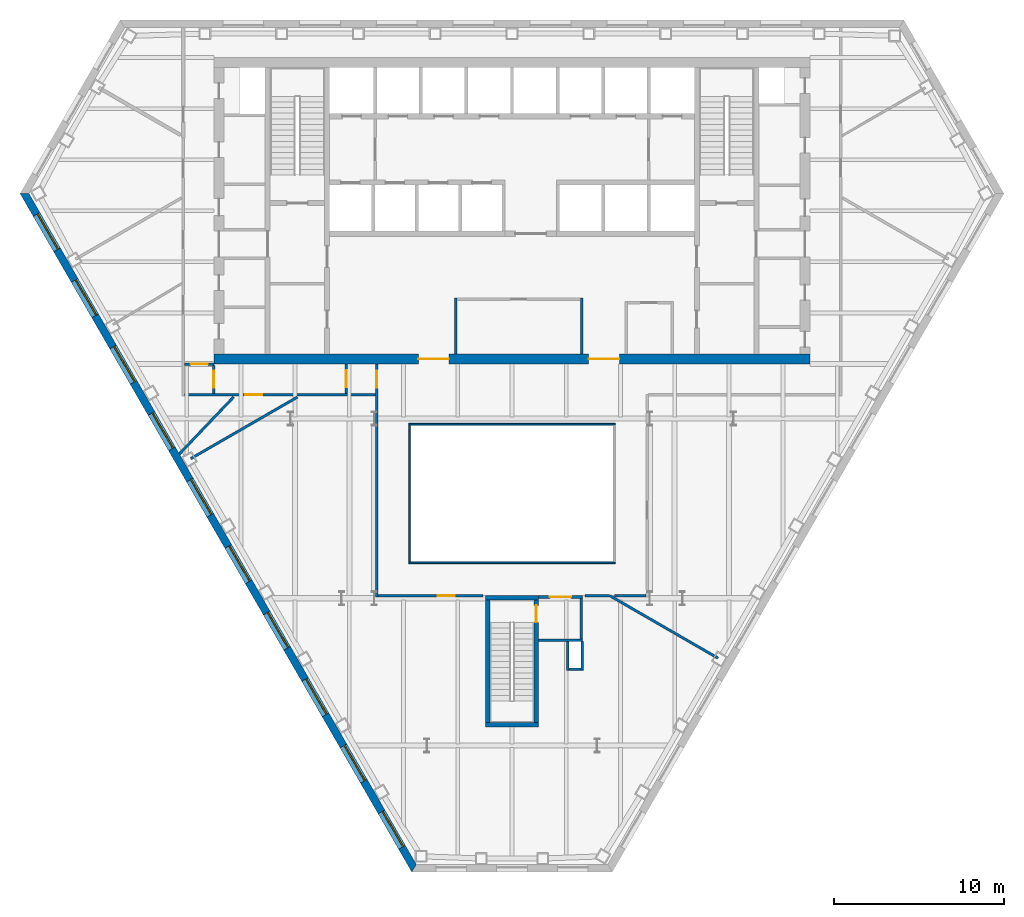
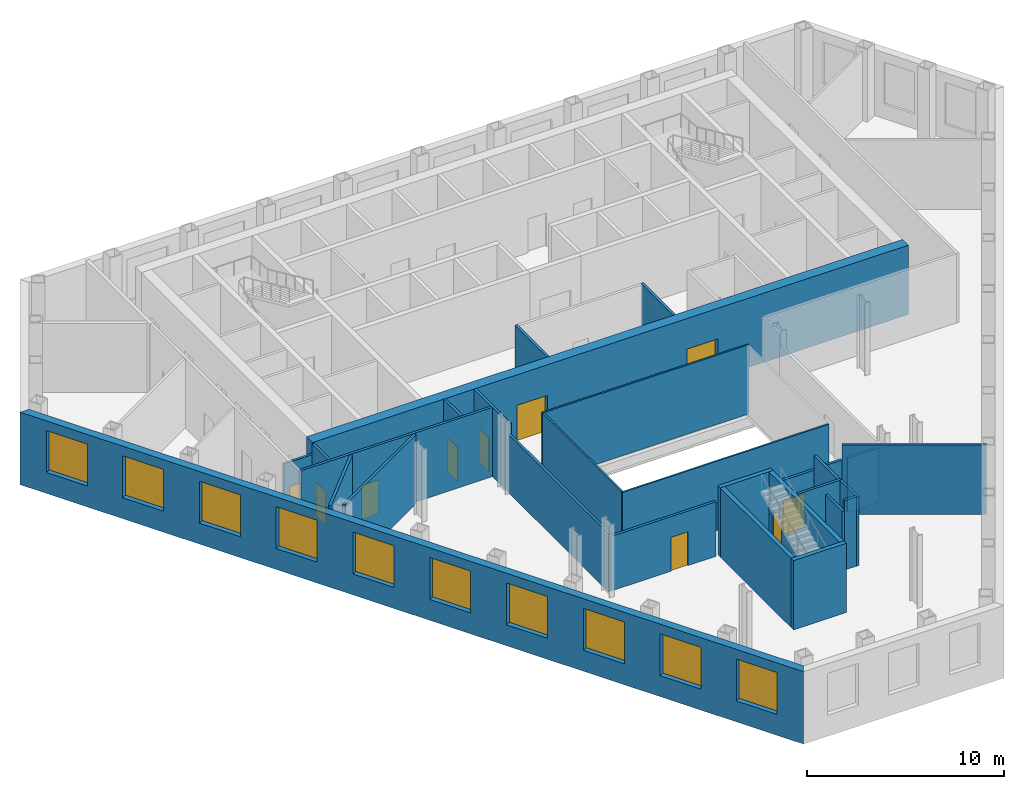
# One storey, part 4 of 11: 29 walls, 10 doors, 10 windows, 20 openings.
"""IFC4 building model written with IfcOpenShell, lengths in metres."""

from ifc_helpers import new_model, si_unit, direction, frame, frame_2d, origin, place, context, subcontext, project, spatial, polyline, rectangle, outline, extrude, material, layer, layer_set, type_object, element, fill, save


model = new_model("IFC4")

# Units and contexts
model_context = context("Model", 3, precision=1e-05, world=origin(), true_north=direction((0.0, 1.0)))
body_context = subcontext(model_context, "Body", "Model", "MODEL_VIEW")
ifc_project = project(units=[si_unit("LENGTHUNIT", "METRE"), si_unit("AREAUNIT", "SQUARE_METRE"), si_unit("VOLUMEUNIT", "CUBIC_METRE"), si_unit("PLANEANGLEUNIT", "RADIAN"), si_unit("MASSUNIT", "GRAM", prefix="KILO")], contexts=[model_context])

# Site, building, storey
site_placement = place(None, origin())
site = spatial("IfcSite", under=ifc_project, at=site_placement, CompositionType="ELEMENT")
building_placement = place(site_placement, origin())
building = spatial("IfcBuilding", under=site, at=building_placement, Name="Njiva Tower", CompositionType="ELEMENT")
storey_placement = place(building_placement, frame((0.0, 0.0, 37.8)))
storey = spatial("IfcBuildingStorey", under=building, at=storey_placement, Name="L07", CompositionType="ELEMENT", Elevation=37.8)

# Walls
ifc_material_1 = material(Name="Blockwork", Category="masonry")
ifc_layer_1 = layer(ifc_material_1, 0.15)
ifc_layer_set_1 = layer_set([ifc_layer_1], Name="Blockwork")
wall_type_1 = type_object("IfcWallType", Name="WT1 Compartment partition 150", PredefinedType="PARTITIONING", material=ifc_layer_set_1)
for number, where, z_axis, x_axis, name in (
    (1, (-3.3, 0.6, 0.0), (0.0, 0.0, 1.0), (0.0, 1.0, 0.0), "Information office wall west"),
    (2, (4.1, 0.6, 0.0), (0.0, 0.0, 1.0), (0.0, 1.0, 0.0), "Information office wall east"),
):
    element("IfcWall", number, at=place(storey_placement, frame(where, z_axis=z_axis, x_axis=x_axis)), inside=storey, type_object=wall_type_1, Name=name, PredefinedType="PARTITIONING", context=body_context, shape_type="SweptSolid", body=[
        extrude(rectangle(XDim=3.275, YDim=0.15, at=frame_2d((1.6375, 0.0))), origin(), (0.0, 0.0, 1.0), 4.3),
    ])

# Wall, openings, doors
ifc_material_2 = material(Name="Concrete C60/75", Category="concrete")
ifc_layer_2 = layer(ifc_material_2, 0.6)
ifc_layer_set_2 = layer_set([ifc_layer_2], Name="Concrete C60/75")
wall_type_2 = type_object("IfcWallType", Name="WT15 Core wall 600", PredefinedType="SHEAR", material=ifc_layer_set_2)
wall_1_placement = place(storey_placement, frame((-17.5, 0.3, 0.0), z_axis=(0.0, 0.0, 1.0), x_axis=(1.0, 0.0, 0.0)))
wall_1 = element("IfcWall", 3, at=wall_1_placement, inside=storey, type_object=wall_type_2, Name="Core wall south", PredefinedType="SHEAR", context=body_context, shape_type="SweptSolid", body=[
    extrude(rectangle(XDim=35.0, YDim=0.6, at=frame_2d((17.5, 0.0))), origin(), (0.0, 0.0, 1.0), 4.3),
])
opening_1_placement = place(wall_1_placement, frame((12.0, 0.0, 0.0)))
opening_1 = element("IfcOpeningElement", 4, at=opening_1_placement, cuts=wall_1, Name="Opening S02-D937", PredefinedType="OPENING", context=body_context, shape_type="SweptSolid", body=[
    extrude(rectangle(XDim=1.8, YDim=2.4, at=frame_2d((0.9, 1.2))), frame((0.0, 0.31, 0.0), z_axis=(0.0, -1.0, 0.0), x_axis=(1.0, 0.0, 0.0)), (0.0, 0.0, 1.0), 0.62),
])
opening_2_placement = place(wall_1_placement, frame((22.0, 0.0, 0.0)))
opening_2 = element("IfcOpeningElement", 5, at=opening_2_placement, cuts=wall_1, Name="Opening S02-D938", PredefinedType="OPENING", context=body_context, shape_type="SweptSolid", body=[
    extrude(rectangle(XDim=1.8, YDim=2.4, at=frame_2d((0.9, 1.2))), frame((0.0, 0.31, 0.0), z_axis=(0.0, -1.0, 0.0), x_axis=(1.0, 0.0, 0.0)), (0.0, 0.0, 1.0), 0.62),
])
ifc_material_3 = material(Name="Steel and glass door", Category="steel")
door_type_1 = type_object("IfcDoorType", Name="D3 Core entrance door 1800x2400", OperationType="DOUBLE_DOOR_SINGLE_SWING", PredefinedType="DOOR", material=ifc_material_3)
door_1_placement = place(opening_1_placement, origin())
door_1 = element("IfcDoor", 6, at=door_1_placement, inside=storey, type_object=door_type_1, Name="Core entrance door", OperationType="DOUBLE_DOOR_SINGLE_SWING", OverallHeight=2.4, OverallWidth=1.8, PredefinedType="DOOR", context=body_context, shape_type="SweptSolid", body=[
    extrude(rectangle(XDim=1.8, YDim=2.4, at=frame_2d((0.9, 1.2))), frame((0.0, 0.025, 0.0), z_axis=(0.0, -1.0, 0.0), x_axis=(1.0, 0.0, 0.0)), (0.0, 0.0, 1.0), 0.05),
])
fill(opening_1, door_1)
door_2_placement = place(opening_2_placement, origin())
door_2 = element("IfcDoor", 7, at=door_2_placement, inside=storey, type_object=door_type_1, Name="Core entrance door", OperationType="DOUBLE_DOOR_SINGLE_SWING", OverallHeight=2.4, OverallWidth=1.8, PredefinedType="DOOR", context=body_context, shape_type="SweptSolid", body=[
    extrude(rectangle(XDim=1.8, YDim=2.4, at=frame_2d((0.9, 1.2))), frame((0.0, 0.025, 0.0), z_axis=(0.0, -1.0, 0.0), x_axis=(1.0, 0.0, 0.0)), (0.0, 0.0, 1.0), 0.05),
])
fill(opening_2, door_2)

# Wall
ifc_material_4 = material(Name="Gypsum board on steel studs", Category="gypsum")
ifc_layer_3 = layer(ifc_material_4, 0.15)
ifc_layer_set_3 = layer_set([ifc_layer_3], Name="Gypsum board on steel studs")
wall_type_3 = type_object("IfcWallType", Name="WT21 Compartment wall 150", PredefinedType="PARTITIONING", material=ifc_layer_set_3)
wall_2_placement = place(storey_placement, frame((-19.533, -5.282, 0.0), z_axis=(0.0, 0.0, 1.0), x_axis=(0.689628223258, 0.724163595941, 0.0)))
element("IfcWall", 8, at=wall_2_placement, inside=storey, type_object=wall_type_3, Name="Partition S02-P004", PredefinedType="PARTITIONING", context=body_context, shape_type="SweptSolid", body=[
    extrude(rectangle(XDim=4.6329, YDim=0.15, at=frame_2d((2.3164, 0.0))), origin(), (0.0, 0.0, 1.0), 4.3),
])

# Wall, opening, door
wall_3_placement = place(storey_placement, frame((-19.225, -1.8, 0.0), z_axis=(0.0, 0.0, 1.0), x_axis=(1.0, 0.0, 0.0)))
wall_3 = element("IfcWall", 9, at=wall_3_placement, inside=storey, type_object=wall_type_3, Name="Partition S02-P007", PredefinedType="PARTITIONING", context=body_context, shape_type="SweptSolid", body=[
    extrude(rectangle(XDim=11.21, YDim=0.15, at=frame_2d((5.605, 0.0))), origin(), (0.0, 0.0, 1.0), 4.3),
])
opening_3_placement = place(wall_3_placement, frame((3.559, 0.0, 0.0)))
opening_3 = element("IfcOpeningElement", 10, at=opening_3_placement, cuts=wall_3, Name="Opening S02-D005", PredefinedType="OPENING", context=body_context, shape_type="SweptSolid", body=[
    extrude(rectangle(XDim=1.0, YDim=2.1, at=frame_2d((0.5, 1.05))), frame((0.0, 0.085, 0.0), z_axis=(0.0, -1.0, 0.0), x_axis=(1.0, 0.0, 0.0)), (0.0, 0.0, 1.0), 0.17),
])
ifc_material_5 = material(Name="Steel fire door set", Category="steel")
door_type_2 = type_object("IfcDoorType", Name="D37 Fire door 1000x2100", OperationType="SINGLE_SWING_LEFT", PredefinedType="DOOR", material=ifc_material_5)
door_3_placement = place(opening_3_placement, origin())
door_3 = element("IfcDoor", 11, at=door_3_placement, inside=storey, type_object=door_type_2, Name="Door S02-D005", OperationType="SINGLE_SWING_LEFT", OverallHeight=2.1, OverallWidth=1.0, PredefinedType="DOOR", context=body_context, shape_type="SweptSolid", body=[
    extrude(rectangle(XDim=1.0, YDim=2.1, at=frame_2d((0.5, 1.05))), frame((0.0, 0.025, 0.0), z_axis=(0.0, -1.0, 0.0), x_axis=(1.0, 0.0, 0.0)), (0.0, 0.0, 1.0), 0.05),
])
fill(opening_3, door_3)

wall_4_placement = place(storey_placement, frame((-19.225, 0.0, 0.0), z_axis=(0.0, 0.0, 1.0), x_axis=(1.0, 0.0, 0.0)))
wall_4 = element("IfcWall", 12, at=wall_4_placement, inside=storey, type_object=wall_type_3, Name="Partition S02-P008", PredefinedType="PARTITIONING", context=body_context, shape_type="SweptSolid", body=[
    extrude(rectangle(XDim=1.725, YDim=0.15, at=frame_2d((0.8625, 0.0))), origin(), (0.0, 0.0, 1.0), 3.61),
])
opening_4_placement = place(wall_4_placement, frame((0.363, 0.0, 0.0)))
opening_4 = element("IfcOpeningElement", 13, at=opening_4_placement, cuts=wall_4, Name="Opening S02-D006", PredefinedType="OPENING", context=body_context, shape_type="SweptSolid", body=[
    extrude(rectangle(XDim=1.0, YDim=2.1, at=frame_2d((0.5, 1.05))), frame((0.0, 0.085, 0.0), z_axis=(0.0, -1.0, 0.0), x_axis=(1.0, 0.0, 0.0)), (0.0, 0.0, 1.0), 0.17),
])
door_4_placement = place(opening_4_placement, origin())
door_4 = element("IfcDoor", 14, at=door_4_placement, inside=storey, type_object=door_type_2, Name="Door S02-D006", OperationType="SINGLE_SWING_LEFT", OverallHeight=2.1, OverallWidth=1.0, PredefinedType="DOOR", context=body_context, shape_type="SweptSolid", body=[
    extrude(rectangle(XDim=1.0, YDim=2.1, at=frame_2d((0.5, 1.05))), frame((0.0, 0.025, 0.0), z_axis=(0.0, -1.0, 0.0), x_axis=(1.0, 0.0, 0.0)), (0.0, 0.0, 1.0), 0.05),
])
fill(opening_4, door_4)

# Wall
wall_5_placement = place(storey_placement, frame((-18.858, -5.552, 0.0), z_axis=(0.0, 0.0, 1.0), x_axis=(0.866088799389, 0.499890179513, 0.0)))
element("IfcWall", 15, at=wall_5_placement, inside=storey, type_object=wall_type_3, Name="Partition S02-P009", PredefinedType="PARTITIONING", context=body_context, shape_type="SweptSolid", body=[
    extrude(rectangle(XDim=7.2256, YDim=0.15, at=frame_2d((3.6128, 0.0))), origin(), (0.0, 0.0, 1.0), 4.3),
])

# Wall, opening, door
wall_6_placement = place(storey_placement, frame((-17.5, -1.725, 0.0), z_axis=(0.0, 0.0, 1.0), x_axis=(0.0, 1.0, 0.0)))
wall_6 = element("IfcWall", 16, at=wall_6_placement, inside=storey, type_object=wall_type_3, Name="Partition S02-P010", PredefinedType="PARTITIONING", context=body_context, shape_type="SweptSolid", body=[
    extrude(rectangle(XDim=1.65, YDim=0.15, at=frame_2d((0.825, 0.0))), origin(), (0.0, 0.0, 1.0), 4.3),
])
opening_5_placement = place(wall_6_placement, frame((0.325, 0.0, 0.0)))
opening_5 = element("IfcOpeningElement", 17, at=opening_5_placement, cuts=wall_6, Name="Opening S02-D007", PredefinedType="OPENING", context=body_context, shape_type="SweptSolid", body=[
    extrude(rectangle(XDim=1.0, YDim=2.1, at=frame_2d((0.5, 1.05))), frame((0.0, 0.085, 0.0), z_axis=(0.0, -1.0, 0.0), x_axis=(1.0, 0.0, 0.0)), (0.0, 0.0, 1.0), 0.17),
])
door_5_placement = place(opening_5_placement, origin())
door_5 = element("IfcDoor", 18, at=door_5_placement, inside=storey, type_object=door_type_2, Name="Door S02-D007", OperationType="SINGLE_SWING_LEFT", OverallHeight=2.1, OverallWidth=1.0, PredefinedType="DOOR", context=body_context, shape_type="SweptSolid", body=[
    extrude(rectangle(XDim=1.0, YDim=2.1, at=frame_2d((0.5, 1.05))), frame((0.0, 0.025, 0.0), z_axis=(0.0, -1.0, 0.0), x_axis=(1.0, 0.0, 0.0)), (0.0, 0.0, 1.0), 0.05),
])
fill(opening_5, door_5)

wall_7_placement = place(storey_placement, frame((-9.74, -1.725, 0.0), z_axis=(0.0, 0.0, 1.0), x_axis=(0.0, 1.0, 0.0)))
wall_7 = element("IfcWall", 19, at=wall_7_placement, inside=storey, type_object=wall_type_3, Name="Partition S02-P011", PredefinedType="PARTITIONING", context=body_context, shape_type="SweptSolid", body=[
    extrude(rectangle(XDim=1.725, YDim=0.15, at=frame_2d((0.8625, 0.0))), origin(), (0.0, 0.0, 1.0), 4.3),
])
opening_6_placement = place(wall_7_placement, frame((0.363, 0.0, 0.0)))
opening_6 = element("IfcOpeningElement", 20, at=opening_6_placement, cuts=wall_7, Name="Opening S02-D008", PredefinedType="OPENING", context=body_context, shape_type="SweptSolid", body=[
    extrude(rectangle(XDim=1.0, YDim=2.1, at=frame_2d((0.5, 1.05))), frame((0.0, 0.085, 0.0), z_axis=(0.0, -1.0, 0.0), x_axis=(1.0, 0.0, 0.0)), (0.0, 0.0, 1.0), 0.17),
])
door_6_placement = place(opening_6_placement, origin())
door_6 = element("IfcDoor", 21, at=door_6_placement, inside=storey, type_object=door_type_2, Name="Door S02-D008", OperationType="SINGLE_SWING_LEFT", OverallHeight=2.1, OverallWidth=1.0, PredefinedType="DOOR", context=body_context, shape_type="SweptSolid", body=[
    extrude(rectangle(XDim=1.0, YDim=2.1, at=frame_2d((0.5, 1.05))), frame((0.0, 0.025, 0.0), z_axis=(0.0, -1.0, 0.0), x_axis=(1.0, 0.0, 0.0)), (0.0, 0.0, 1.0), 0.05),
])
fill(opening_6, door_6)

# Wall
wall_8_placement = place(storey_placement, frame((-7.94, -13.675, 0.0), z_axis=(0.0, 0.0, 1.0), x_axis=(0.0, 1.0, 0.0)))
element("IfcWall", 22, at=wall_8_placement, inside=storey, type_object=wall_type_3, Name="Partition S02-P012", PredefinedType="PARTITIONING", context=body_context, shape_type="SweptSolid", body=[
    extrude(rectangle(XDim=10.118, YDim=0.15, at=frame_2d((5.059, 0.0))), origin(), (0.0, 0.0, 1.0), 3.61),
])

# Wall, opening, door
wall_9_placement = place(storey_placement, frame((-7.94, -3.557, 0.0), z_axis=(0.0, 0.0, 1.0), x_axis=(0.0, 1.0, 0.0)))
wall_9 = element("IfcWall", 23, at=wall_9_placement, inside=storey, type_object=wall_type_3, Name="Partition S02-P012A", PredefinedType="PARTITIONING", context=body_context, shape_type="SweptSolid", body=[
    extrude(rectangle(XDim=3.557, YDim=0.15, at=frame_2d((1.7785, 0.0))), origin(), (0.0, 0.0, 1.0), 4.3),
])
opening_7_placement = place(wall_9_placement, frame((2.157, 0.0, 0.0)))
opening_7 = element("IfcOpeningElement", 24, at=opening_7_placement, cuts=wall_9, Name="Opening S02-D009", PredefinedType="OPENING", context=body_context, shape_type="SweptSolid", body=[
    extrude(rectangle(XDim=1.0, YDim=2.1, at=frame_2d((0.5, 1.05))), frame((0.0, 0.085, 0.0), z_axis=(0.0, -1.0, 0.0), x_axis=(1.0, 0.0, 0.0)), (0.0, 0.0, 1.0), 0.17),
])
door_7_placement = place(opening_7_placement, origin())
door_7 = element("IfcDoor", 25, at=door_7_placement, inside=storey, type_object=door_type_2, Name="Door S02-D009", OperationType="SINGLE_SWING_LEFT", OverallHeight=2.1, OverallWidth=1.0, PredefinedType="DOOR", context=body_context, shape_type="SweptSolid", body=[
    extrude(rectangle(XDim=1.0, YDim=2.1, at=frame_2d((0.5, 1.05))), frame((0.0, 0.025, 0.0), z_axis=(0.0, -1.0, 0.0), x_axis=(1.0, 0.0, 0.0)), (0.0, 0.0, 1.0), 0.05),
])
fill(opening_7, door_7)

wall_10_placement = place(storey_placement, frame((-7.865, -13.6, 0.0), z_axis=(0.0, 0.0, 1.0), x_axis=(1.0, 0.0, 0.0)))
wall_10 = element("IfcWall", 26, at=wall_10_placement, inside=storey, type_object=wall_type_3, Name="Partition S02-P013", PredefinedType="PARTITIONING", context=body_context, shape_type="SweptSolid", body=[
    extrude(rectangle(XDim=6.165, YDim=0.15, at=frame_2d((3.0825, 0.0))), origin(), (0.0, 0.0, 1.0), 3.39),
])
opening_8_placement = place(wall_10_placement, frame((3.514, 0.0, 0.0)))
opening_8 = element("IfcOpeningElement", 27, at=opening_8_placement, cuts=wall_10, Name="Opening S02-D010", PredefinedType="OPENING", context=body_context, shape_type="SweptSolid", body=[
    extrude(rectangle(XDim=1.0, YDim=2.1, at=frame_2d((0.5, 1.05))), frame((0.0, 0.085, 0.0), z_axis=(0.0, -1.0, 0.0), x_axis=(1.0, 0.0, 0.0)), (0.0, 0.0, 1.0), 0.17),
])
door_8_placement = place(opening_8_placement, origin())
door_8 = element("IfcDoor", 28, at=door_8_placement, inside=storey, type_object=door_type_2, Name="Door S02-D010", OperationType="SINGLE_SWING_RIGHT", OverallHeight=2.1, OverallWidth=1.0, PredefinedType="DOOR", context=body_context, shape_type="SweptSolid", body=[
    extrude(rectangle(XDim=1.0, YDim=2.1, at=frame_2d((0.5, 1.05))), frame((0.0, 0.025, 0.0), z_axis=(0.0, -1.0, 0.0), x_axis=(1.0, 0.0, 0.0)), (0.0, 0.0, 1.0), 0.05),
])
fill(opening_8, door_8)

# Walls
wall_11_placement = place(storey_placement, frame((4.3, -13.6, 0.0), z_axis=(0.0, 0.0, 1.0), x_axis=(1.0, 0.0, 0.0)))
element("IfcWall", 29, at=wall_11_placement, inside=storey, type_object=wall_type_3, Name="Partition S02-P014", PredefinedType="PARTITIONING", context=body_context, shape_type="SweptSolid", body=[
    extrude(rectangle(XDim=1.41, YDim=0.15, at=frame_2d((0.705, 0.0))), origin(), (0.0, 0.0, 1.0), 3.39),
])
wall_12_placement = place(storey_placement, frame((5.747, -13.602, 0.0), z_axis=(0.0, 0.0, 1.0), x_axis=(0.866085627872, -0.49989567431, 0.0)))
element("IfcWall", 30, at=wall_12_placement, inside=storey, type_object=wall_type_3, Name="Partition S02-P015", PredefinedType="PARTITIONING", context=body_context, shape_type="SweptSolid", body=[
    extrude(rectangle(XDim=7.3295, YDim=0.15, at=frame_2d((3.6648, 0.0))), origin(), (0.0, 0.0, 1.0), 4.3),
])
wall_13_placement = place(storey_placement, frame((6.024, -13.6, 0.0), z_axis=(0.0, 0.0, 1.0), x_axis=(1.0, 0.0, 0.0)))
element("IfcWall", 31, at=wall_13_placement, inside=storey, type_object=wall_type_3, Name="Partition S02-P016", PredefinedType="PARTITIONING", context=body_context, shape_type="SweptSolid", body=[
    extrude(rectangle(XDim=1.841, YDim=0.15, at=frame_2d((0.9205, 0.0))), origin(), (0.0, 0.0, 1.0), 3.39),
])
ifc_layer_4 = layer(ifc_material_1, 0.15)
ifc_layer_set_4 = layer_set([ifc_layer_4], Name="Blockwork")
wall_type_4 = type_object("IfcWallType", Name="WT4 Stair partition 150", PredefinedType="PARTITIONING", material=ifc_layer_set_4)
wall_14_placement = place(storey_placement, frame((1.55, -16.225, 0.0), z_axis=(0.0, 0.0, 1.0), x_axis=(1.0, 0.0, 0.0)))
element("IfcWall", 32, at=wall_14_placement, inside=storey, type_object=wall_type_4, Name="Stair C vestibule wall south", PredefinedType="PARTITIONING", context=body_context, shape_type="SweptSolid", body=[
    extrude(rectangle(XDim=2.6, YDim=0.15, at=frame_2d((1.3, 0.0))), origin(), (0.0, 0.0, 1.0), 4.3),
])
wall_15_placement = place(storey_placement, frame((4.075, -16.15, 0.0), z_axis=(0.0, 0.0, 1.0), x_axis=(0.0, 1.0, 0.0)))
element("IfcWall", 33, at=wall_15_placement, inside=storey, type_object=wall_type_4, Name="Stair C vestibule wall east", PredefinedType="PARTITIONING", context=body_context, shape_type="SweptSolid", body=[
    extrude(rectangle(XDim=2.4, YDim=0.15, at=frame_2d((1.2, 0.0))), origin(), (0.0, 0.0, 1.0), 4.3),
])

# Wall, opening, door
wall_16_placement = place(storey_placement, frame((1.55, -13.675, 0.0), z_axis=(0.0, 0.0, 1.0), x_axis=(1.0, 0.0, 0.0)))
wall_16 = element("IfcWall", 34, at=wall_16_placement, inside=storey, type_object=wall_type_4, Name="Stair C vestibule wall north", PredefinedType="PARTITIONING", context=body_context, shape_type="SweptSolid", body=[
    extrude(rectangle(XDim=2.6, YDim=0.15, at=frame_2d((1.3, 0.0))), origin(), (0.0, 0.0, 1.0), 3.39),
])
opening_9_placement = place(wall_16_placement, frame((0.675, 0.0, 0.0)))
opening_9 = element("IfcOpeningElement", 35, at=opening_9_placement, cuts=wall_16, Name="Opening S02-D940", PredefinedType="OPENING", context=body_context, shape_type="SweptSolid", body=[
    extrude(rectangle(XDim=1.25, YDim=2.1, at=frame_2d((0.625, 1.05))), frame((0.0, 0.085, 0.0), z_axis=(0.0, -1.0, 0.0), x_axis=(1.0, 0.0, 0.0)), (0.0, 0.0, 1.0), 0.17),
])
ifc_material_6 = material(Name="Glazed steel fire door", Category="steel")
door_type_3 = type_object("IfcDoorType", Name="D8 Vestibule corridor door 1250x2100 glazed", OperationType="SINGLE_SWING_LEFT", PredefinedType="DOOR", material=ifc_material_6)
door_9_placement = place(opening_9_placement, origin())
door_9 = element("IfcDoor", 36, at=door_9_placement, inside=storey, type_object=door_type_3, Name="Stair vestibule corridor door", OperationType="SINGLE_SWING_RIGHT", OverallHeight=2.1, OverallWidth=1.25, PredefinedType="DOOR", context=body_context, shape_type="SweptSolid", body=[
    extrude(rectangle(XDim=1.25, YDim=2.1, at=frame_2d((0.625, 1.05))), frame((0.0, 0.025, 0.0), z_axis=(0.0, -1.0, 0.0), x_axis=(1.0, 0.0, 0.0)), (0.0, 0.0, 1.0), 0.05),
])
fill(opening_9, door_9)

# Walls
wall_17_placement = place(storey_placement, frame((3.275, -18.0, 0.0), z_axis=(0.0, 0.0, 1.0), x_axis=(0.0, 1.0, 0.0)))
element("IfcWall", 37, at=wall_17_placement, inside=storey, type_object=wall_type_4, Name="Stair C pressurisation shaft wall", PredefinedType="PARTITIONING", context=body_context, shape_type="SweptSolid", body=[
    extrude(rectangle(XDim=1.7, YDim=0.15, at=frame_2d((0.85, 0.0))), origin(), (0.0, 0.0, 1.0), 3.7),
])
wall_18_placement = place(storey_placement, frame((3.35, -17.925, 0.0), z_axis=(0.0, 0.0, 1.0), x_axis=(1.0, 0.0, 0.0)))
element("IfcWall", 38, at=wall_18_placement, inside=storey, type_object=wall_type_4, Name="Stair C pressurisation shaft wall", PredefinedType="PARTITIONING", context=body_context, shape_type="SweptSolid", body=[
    extrude(rectangle(XDim=0.7, YDim=0.15, at=frame_2d((0.35, 0.0))), origin(), (0.0, 0.0, 1.0), 4.3),
])
wall_19_placement = place(storey_placement, frame((4.125, -18.0, 0.0), z_axis=(0.0, 0.0, 1.0), x_axis=(0.0, 1.0, 0.0)))
element("IfcWall", 39, at=wall_19_placement, inside=storey, type_object=wall_type_4, Name="Stair C pressurisation shaft wall", PredefinedType="PARTITIONING", context=body_context, shape_type="SweptSolid", body=[
    extrude(rectangle(XDim=1.7, YDim=0.15, at=frame_2d((0.85, 0.0))), origin(), (0.0, 0.0, 1.0), 4.3),
])
ifc_material_7 = material(Name="Concrete C40/50", Category="concrete")
ifc_layer_5 = layer(ifc_material_7, 0.25)
ifc_layer_set_5 = layer_set([ifc_layer_5], Name="Concrete C40/50")
wall_type_5 = type_object("IfcWallType", Name="WT9 Stair enclosure wall 250", PredefinedType="SHEAR", material=ifc_layer_set_5)
wall_20_placement = place(storey_placement, frame((-1.425, -21.05, 0.0), z_axis=(0.0, 0.0, 1.0), x_axis=(0.0, 1.0, 0.0)))
element("IfcWall", 40, at=wall_20_placement, inside=storey, type_object=wall_type_5, Name="Stair C wall west", PredefinedType="SHEAR", context=body_context, shape_type="SweptSolid", body=[
    extrude(rectangle(XDim=7.2, YDim=0.25, at=frame_2d((3.6, 0.0))), origin(), (0.0, 0.0, 1.0), 4.3),
])

# Wall, opening, door
wall_21_placement = place(storey_placement, frame((1.425, -21.05, 0.0), z_axis=(0.0, 0.0, 1.0), x_axis=(0.0, 1.0, 0.0)))
wall_21 = element("IfcWall", 41, at=wall_21_placement, inside=storey, type_object=wall_type_5, Name="Stair C wall east", PredefinedType="SHEAR", context=body_context, shape_type="SweptSolid", body=[
    extrude(rectangle(XDim=7.2, YDim=0.25, at=frame_2d((3.6, 0.0))), origin(), (0.0, 0.0, 1.0), 4.3),
])
opening_10_placement = place(wall_21_placement, frame((5.89, 0.0, 0.0)))
opening_10 = element("IfcOpeningElement", 42, at=opening_10_placement, cuts=wall_21, Name="Opening S02-D939", PredefinedType="OPENING", context=body_context, shape_type="SweptSolid", body=[
    extrude(rectangle(XDim=1.0, YDim=2.1, at=frame_2d((0.5, 1.05))), frame((0.0, 0.135, 0.0), z_axis=(0.0, -1.0, 0.0), x_axis=(1.0, 0.0, 0.0)), (0.0, 0.0, 1.0), 0.27),
])
door_type_4 = type_object("IfcDoorType", Name="D9 Stair vestibule door 1000x2100 glazed", OperationType="SINGLE_SWING_LEFT", PredefinedType="DOOR", material=ifc_material_6)
door_10_placement = place(opening_10_placement, origin())
door_10 = element("IfcDoor", 43, at=door_10_placement, inside=storey, type_object=door_type_4, Name="Stair C door", OperationType="SINGLE_SWING_LEFT", OverallHeight=2.1, OverallWidth=1.0, PredefinedType="DOOR", context=body_context, shape_type="SweptSolid", body=[
    extrude(rectangle(XDim=1.0, YDim=2.1, at=frame_2d((0.5, 1.05))), frame((0.0, 0.025, 0.0), z_axis=(0.0, -1.0, 0.0), x_axis=(1.0, 0.0, 0.0)), (0.0, 0.0, 1.0), 0.05),
])
fill(opening_10, door_10)

# Walls
for number, where, z_axis, x_axis, name in (
    (44, (-1.55, -21.175, 0.0), (0.0, 0.0, 1.0), (1.0, 0.0, 0.0), "Stair C wall south"),
    (45, (-1.55, -13.725, 0.0), (0.0, 0.0, 1.0), (1.0, 0.0, 0.0), "Stair C wall north"),
):
    element("IfcWall", number, at=place(storey_placement, frame(where, z_axis=z_axis, x_axis=x_axis)), inside=storey, type_object=wall_type_5, Name=name, PredefinedType="SHEAR", context=body_context, shape_type="SweptSolid", body=[
        extrude(rectangle(XDim=3.1, YDim=0.25, at=frame_2d((1.55, 0.0))), origin(), (0.0, 0.0, 1.0), 4.3),
    ])

# Wall, openings, windows
ifc_material_8 = material(Name="Brick masonry", Category="masonry")
ifc_layer_6 = layer(ifc_material_8, 0.45)
ifc_layer_set_6 = layer_set([ifc_layer_6], Name="Brick masonry")
wall_type_6 = type_object("IfcWallType", Name="WT90 Brick pier and spandrel wall 450", PredefinedType="SOLIDWALL", material=ifc_layer_set_6)
wall_22_placement = place(storey_placement, frame((-28.6252, 10.0155, -0.4), z_axis=(0.0, 0.0, 1.0), x_axis=(0.500000335318, -0.866025210188, 0.0)))
wall_22 = element("IfcWall", 46, at=wall_22_placement, inside=storey, type_object=wall_type_6, Name="Facade wall SW", PredefinedType="SOLIDWALL", context=body_context, shape_type="SweptSolid", body=[
    extrude(outline(polyline([(-0.1299, -0.225), (45.8801, -0.225), (45.6203, 0.225), (0.1299, 0.225), (-0.1299, -0.225)])), origin(), (0.0, 0.0, 1.0), 4.5),
])
opening_11_placement = place(wall_22_placement, frame((1.4247, 0.0, 1.3)))
opening_11 = element("IfcOpeningElement", 47, at=opening_11_placement, cuts=wall_22, Name="Opening S02-W12", PredefinedType="OPENING", context=body_context, shape_type="SweptSolid", body=[
    extrude(rectangle(XDim=2.4, YDim=2.6, at=frame_2d((1.2, 1.3))), frame((0.0, 0.235, 0.0), z_axis=(0.0, -1.0, 0.0), x_axis=(1.0, 0.0, 0.0)), (0.0, 0.0, 1.0), 0.47),
])
opening_12_placement = place(wall_22_placement, frame((5.8949, 0.0, 1.3)))
opening_12 = element("IfcOpeningElement", 48, at=opening_12_placement, cuts=wall_22, Name="Opening S02-W13", PredefinedType="OPENING", context=body_context, shape_type="SweptSolid", body=[
    extrude(rectangle(XDim=2.4, YDim=2.6, at=frame_2d((1.2, 1.3))), frame((0.0, 0.235, 0.0), z_axis=(0.0, -1.0, 0.0), x_axis=(1.0, 0.0, 0.0)), (0.0, 0.0, 1.0), 0.47),
])
opening_13_placement = place(wall_22_placement, frame((10.4035, 0.0, 1.3)))
opening_13 = element("IfcOpeningElement", 49, at=opening_13_placement, cuts=wall_22, Name="Opening S02-W14", PredefinedType="OPENING", context=body_context, shape_type="SweptSolid", body=[
    extrude(rectangle(XDim=2.4, YDim=2.6, at=frame_2d((1.2, 1.3))), frame((0.0, 0.235, 0.0), z_axis=(0.0, -1.0, 0.0), x_axis=(1.0, 0.0, 0.0)), (0.0, 0.0, 1.0), 0.47),
])
opening_14_placement = place(wall_22_placement, frame((14.9122, 0.0, 1.3)))
opening_14 = element("IfcOpeningElement", 50, at=opening_14_placement, cuts=wall_22, Name="Opening S02-W15", PredefinedType="OPENING", context=body_context, shape_type="SweptSolid", body=[
    extrude(rectangle(XDim=2.4, YDim=2.6, at=frame_2d((1.2, 1.3))), frame((0.0, 0.235, 0.0), z_axis=(0.0, -1.0, 0.0), x_axis=(1.0, 0.0, 0.0)), (0.0, 0.0, 1.0), 0.47),
])
opening_15_placement = place(wall_22_placement, frame((19.4208, 0.0, 1.3)))
opening_15 = element("IfcOpeningElement", 51, at=opening_15_placement, cuts=wall_22, Name="Opening S02-W16", PredefinedType="OPENING", context=body_context, shape_type="SweptSolid", body=[
    extrude(rectangle(XDim=2.4, YDim=2.6, at=frame_2d((1.2, 1.3))), frame((0.0, 0.235, 0.0), z_axis=(0.0, -1.0, 0.0), x_axis=(1.0, 0.0, 0.0)), (0.0, 0.0, 1.0), 0.47),
])
opening_16_placement = place(wall_22_placement, frame((23.9294, 0.0, 1.3)))
opening_16 = element("IfcOpeningElement", 52, at=opening_16_placement, cuts=wall_22, Name="Opening S02-W17", PredefinedType="OPENING", context=body_context, shape_type="SweptSolid", body=[
    extrude(rectangle(XDim=2.4, YDim=2.6, at=frame_2d((1.2, 1.3))), frame((0.0, 0.235, 0.0), z_axis=(0.0, -1.0, 0.0), x_axis=(1.0, 0.0, 0.0)), (0.0, 0.0, 1.0), 0.47),
])
opening_17_placement = place(wall_22_placement, frame((28.438, 0.0, 1.3)))
opening_17 = element("IfcOpeningElement", 53, at=opening_17_placement, cuts=wall_22, Name="Opening S02-W18", PredefinedType="OPENING", context=body_context, shape_type="SweptSolid", body=[
    extrude(rectangle(XDim=2.4, YDim=2.6, at=frame_2d((1.2, 1.3))), frame((0.0, 0.235, 0.0), z_axis=(0.0, -1.0, 0.0), x_axis=(1.0, 0.0, 0.0)), (0.0, 0.0, 1.0), 0.47),
])
opening_18_placement = place(wall_22_placement, frame((32.9466, 0.0, 1.3)))
opening_18 = element("IfcOpeningElement", 54, at=opening_18_placement, cuts=wall_22, Name="Opening S02-W19", PredefinedType="OPENING", context=body_context, shape_type="SweptSolid", body=[
    extrude(rectangle(XDim=2.4, YDim=2.6, at=frame_2d((1.2, 1.3))), frame((0.0, 0.235, 0.0), z_axis=(0.0, -1.0, 0.0), x_axis=(1.0, 0.0, 0.0)), (0.0, 0.0, 1.0), 0.47),
])
opening_19_placement = place(wall_22_placement, frame((37.4553, 0.0, 1.3)))
opening_19 = element("IfcOpeningElement", 55, at=opening_19_placement, cuts=wall_22, Name="Opening S02-W20", PredefinedType="OPENING", context=body_context, shape_type="SweptSolid", body=[
    extrude(rectangle(XDim=2.4, YDim=2.6, at=frame_2d((1.2, 1.3))), frame((0.0, 0.235, 0.0), z_axis=(0.0, -1.0, 0.0), x_axis=(1.0, 0.0, 0.0)), (0.0, 0.0, 1.0), 0.47),
])
opening_20_placement = place(wall_22_placement, frame((41.9255, 0.0, 1.3)))
opening_20 = element("IfcOpeningElement", 56, at=opening_20_placement, cuts=wall_22, Name="Opening S02-W21", PredefinedType="OPENING", context=body_context, shape_type="SweptSolid", body=[
    extrude(rectangle(XDim=2.4, YDim=2.6, at=frame_2d((1.2, 1.3))), frame((0.0, 0.235, 0.0), z_axis=(0.0, -1.0, 0.0), x_axis=(1.0, 0.0, 0.0)), (0.0, 0.0, 1.0), 0.47),
])
ifc_material_9 = material(Name="Clear glazing in aluminium frame", Category="aluminium")
window_type = type_object("IfcWindowType", Name="W92 Deep-set window 2400x2600", PartitioningType="SINGLE_PANEL", PredefinedType="WINDOW", material=ifc_material_9)
window_1_placement = place(opening_11_placement, origin())
window_1 = element("IfcWindow", 57, at=window_1_placement, inside=storey, type_object=window_type, Name="Window", OverallHeight=2.6, OverallWidth=2.4, PartitioningType="SINGLE_PANEL", PredefinedType="WINDOW", context=body_context, shape_type="SweptSolid", body=[
    extrude(rectangle(XDim=2.4, YDim=2.6, at=frame_2d((1.2, 1.3))), frame((0.0, 0.105, 0.0), z_axis=(0.0, -1.0, 0.0), x_axis=(1.0, 0.0, 0.0)), (0.0, 0.0, 1.0), 0.06),
])
fill(opening_11, window_1)
window_2_placement = place(opening_12_placement, origin())
window_2 = element("IfcWindow", 58, at=window_2_placement, inside=storey, type_object=window_type, Name="Window", OverallHeight=2.6, OverallWidth=2.4, PartitioningType="SINGLE_PANEL", PredefinedType="WINDOW", context=body_context, shape_type="SweptSolid", body=[
    extrude(rectangle(XDim=2.4, YDim=2.6, at=frame_2d((1.2, 1.3))), frame((0.0, 0.105, 0.0), z_axis=(0.0, -1.0, 0.0), x_axis=(1.0, 0.0, 0.0)), (0.0, 0.0, 1.0), 0.06),
])
fill(opening_12, window_2)
window_3_placement = place(opening_13_placement, origin())
window_3 = element("IfcWindow", 59, at=window_3_placement, inside=storey, type_object=window_type, Name="Window", OverallHeight=2.6, OverallWidth=2.4, PartitioningType="SINGLE_PANEL", PredefinedType="WINDOW", context=body_context, shape_type="SweptSolid", body=[
    extrude(rectangle(XDim=2.4, YDim=2.6, at=frame_2d((1.2, 1.3))), frame((0.0, 0.105, 0.0), z_axis=(0.0, -1.0, 0.0), x_axis=(1.0, 0.0, 0.0)), (0.0, 0.0, 1.0), 0.06),
])
fill(opening_13, window_3)
window_4_placement = place(opening_14_placement, origin())
window_4 = element("IfcWindow", 60, at=window_4_placement, inside=storey, type_object=window_type, Name="Window", OverallHeight=2.6, OverallWidth=2.4, PartitioningType="SINGLE_PANEL", PredefinedType="WINDOW", context=body_context, shape_type="SweptSolid", body=[
    extrude(rectangle(XDim=2.4, YDim=2.6, at=frame_2d((1.2, 1.3))), frame((0.0, 0.105, 0.0), z_axis=(0.0, -1.0, 0.0), x_axis=(1.0, 0.0, 0.0)), (0.0, 0.0, 1.0), 0.06),
])
fill(opening_14, window_4)
window_5_placement = place(opening_15_placement, origin())
window_5 = element("IfcWindow", 61, at=window_5_placement, inside=storey, type_object=window_type, Name="Window", OverallHeight=2.6, OverallWidth=2.4, PartitioningType="SINGLE_PANEL", PredefinedType="WINDOW", context=body_context, shape_type="SweptSolid", body=[
    extrude(rectangle(XDim=2.4, YDim=2.6, at=frame_2d((1.2, 1.3))), frame((0.0, 0.105, 0.0), z_axis=(0.0, -1.0, 0.0), x_axis=(1.0, 0.0, 0.0)), (0.0, 0.0, 1.0), 0.06),
])
fill(opening_15, window_5)
window_6_placement = place(opening_16_placement, origin())
window_6 = element("IfcWindow", 62, at=window_6_placement, inside=storey, type_object=window_type, Name="Window", OverallHeight=2.6, OverallWidth=2.4, PartitioningType="SINGLE_PANEL", PredefinedType="WINDOW", context=body_context, shape_type="SweptSolid", body=[
    extrude(rectangle(XDim=2.4, YDim=2.6, at=frame_2d((1.2, 1.3))), frame((0.0, 0.105, 0.0), z_axis=(0.0, -1.0, 0.0), x_axis=(1.0, 0.0, 0.0)), (0.0, 0.0, 1.0), 0.06),
])
fill(opening_16, window_6)
window_7_placement = place(opening_17_placement, origin())
window_7 = element("IfcWindow", 63, at=window_7_placement, inside=storey, type_object=window_type, Name="Window", OverallHeight=2.6, OverallWidth=2.4, PartitioningType="SINGLE_PANEL", PredefinedType="WINDOW", context=body_context, shape_type="SweptSolid", body=[
    extrude(rectangle(XDim=2.4, YDim=2.6, at=frame_2d((1.2, 1.3))), frame((0.0, 0.105, 0.0), z_axis=(0.0, -1.0, 0.0), x_axis=(1.0, 0.0, 0.0)), (0.0, 0.0, 1.0), 0.06),
])
fill(opening_17, window_7)
window_8_placement = place(opening_18_placement, origin())
window_8 = element("IfcWindow", 64, at=window_8_placement, inside=storey, type_object=window_type, Name="Window", OverallHeight=2.6, OverallWidth=2.4, PartitioningType="SINGLE_PANEL", PredefinedType="WINDOW", context=body_context, shape_type="SweptSolid", body=[
    extrude(rectangle(XDim=2.4, YDim=2.6, at=frame_2d((1.2, 1.3))), frame((0.0, 0.105, 0.0), z_axis=(0.0, -1.0, 0.0), x_axis=(1.0, 0.0, 0.0)), (0.0, 0.0, 1.0), 0.06),
])
fill(opening_18, window_8)
window_9_placement = place(opening_19_placement, origin())
window_9 = element("IfcWindow", 65, at=window_9_placement, inside=storey, type_object=window_type, Name="Window", OverallHeight=2.6, OverallWidth=2.4, PartitioningType="SINGLE_PANEL", PredefinedType="WINDOW", context=body_context, shape_type="SweptSolid", body=[
    extrude(rectangle(XDim=2.4, YDim=2.6, at=frame_2d((1.2, 1.3))), frame((0.0, 0.105, 0.0), z_axis=(0.0, -1.0, 0.0), x_axis=(1.0, 0.0, 0.0)), (0.0, 0.0, 1.0), 0.06),
])
fill(opening_19, window_9)
window_10_placement = place(opening_20_placement, origin())
window_10 = element("IfcWindow", 66, at=window_10_placement, inside=storey, type_object=window_type, Name="Window", OverallHeight=2.6, OverallWidth=2.4, PartitioningType="SINGLE_PANEL", PredefinedType="WINDOW", context=body_context, shape_type="SweptSolid", body=[
    extrude(rectangle(XDim=2.4, YDim=2.6, at=frame_2d((1.2, 1.3))), frame((0.0, 0.105, 0.0), z_axis=(0.0, -1.0, 0.0), x_axis=(1.0, 0.0, 0.0)), (0.0, 0.0, 1.0), 0.06),
])
fill(opening_20, window_10)

# Walls
ifc_material_10 = material(Name="Fire-resisting glazing EI 90", Category="glass")
ifc_layer_7 = layer(ifc_material_10, 0.1)
ifc_layer_set_7 = layer_set([ifc_layer_7], Name="Fire-resisting glazing EI 90")
wall_type_7 = type_object("IfcWallType", Name="WT95 Fire-resisting glazed screen EI 90", PredefinedType="PARTITIONING", material=ifc_layer_set_7)
for number, where, z_axis, x_axis, name in (
    (67, (-6.06, -11.67, 0.0), (0.0, 0.0, 1.0), (1.0, 0.0, 0.0), "Atrium fire screen south"),
    (68, (6.06, -3.53, 0.0), (0.0, 0.0, 1.0), (-1.0, 0.0, 0.0), "Atrium fire screen north"),
):
    element("IfcWall", number, at=place(storey_placement, frame(where, z_axis=z_axis, x_axis=x_axis)), inside=storey, type_object=wall_type_7, Name=name, PredefinedType="PARTITIONING", context=body_context, shape_type="SweptSolid", body=[
        extrude(rectangle(XDim=12.12, YDim=0.1, at=frame_2d((6.06, 0.0))), origin(), (0.0, 0.0, 1.0), 4.3),
    ])
wall_23_placement = place(storey_placement, frame((-6.01, -3.58, 0.0), z_axis=(0.0, 0.0, 1.0), x_axis=(0.0, -1.0, 0.0)))
element("IfcWall", 69, at=wall_23_placement, inside=storey, type_object=wall_type_7, Name="Atrium fire screen west", PredefinedType="PARTITIONING", context=body_context, shape_type="SweptSolid", body=[
    extrude(rectangle(XDim=8.04, YDim=0.1, at=frame_2d((4.02, 0.0))), origin(), (0.0, 0.0, 1.0), 4.3),
])

save(model, "model.ifc")
